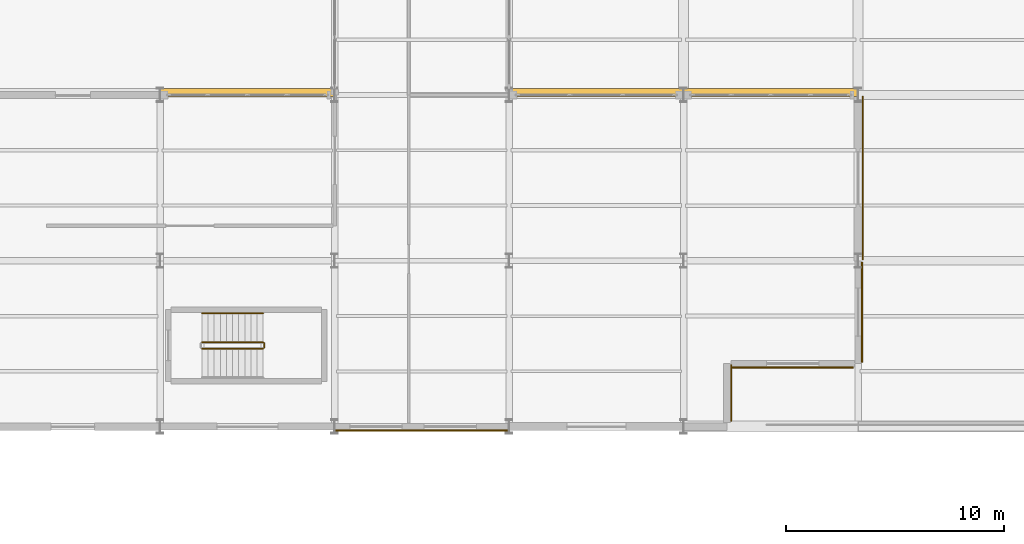
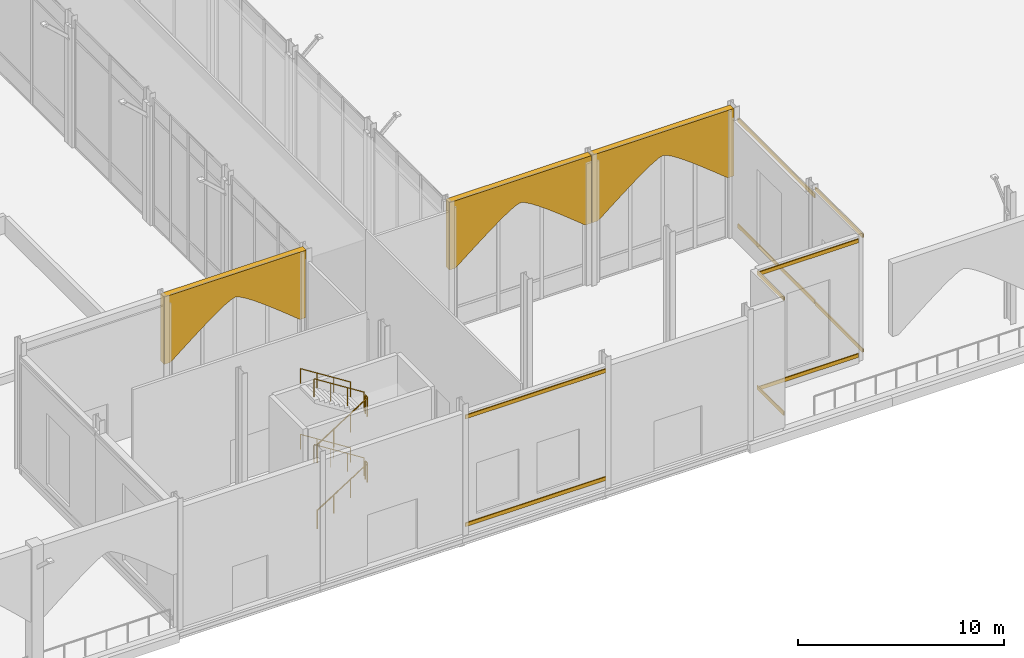
# One storey, part 158 of 176: 13 coverings, 8 railings.
"""IFC4 building model written with IfcOpenShell, lengths in metres."""

from ifc_helpers import new_model, si_unit, direction, frame, origin, origin_2d, place, context, subcontext, project, spatial, polyline, rectangle, circle, outline, extrude, material, layer, layer_set, type_object, element, save


model = new_model("IFC4")

# Units and contexts
model_context = context("Model", 3, precision=1e-05, world=origin(), true_north=direction((0.0, 1.0)))
body_context = subcontext(model_context, "Body", "Model", "MODEL_VIEW")
ifc_project = project(units=[si_unit("LENGTHUNIT", "METRE"), si_unit("AREAUNIT", "SQUARE_METRE"), si_unit("VOLUMEUNIT", "CUBIC_METRE"), si_unit("PLANEANGLEUNIT", "RADIAN"), si_unit("MASSUNIT", "GRAM", prefix="KILO")], contexts=[model_context])

# Site, building, storey
site_placement = place(None, origin())
site = spatial("IfcSite", under=ifc_project, at=site_placement, CompositionType="ELEMENT")
building_placement = place(site_placement, origin())
building = spatial("IfcBuilding", under=site, at=building_placement, Name="Vekula Escarpment Museum", CompositionType="ELEMENT")
storey_placement = place(building_placement, origin())
storey = spatial("IfcBuildingStorey", under=building, at=storey_placement, Name="L01", CompositionType="ELEMENT", Elevation=0.0)

# Coverings
ifc_material_1 = material(Name="Polychrome limestone almasik string-course band", Category="masonry")
ifc_layer_1 = layer(ifc_material_1, 0.06005859375)
ifc_layer_set_1 = layer_set([ifc_layer_1], Name="Polychrome limestone almasik string-course band")
covering_type_1 = type_object("IfcCoveringType", Name="COV-ALM-BAND", PredefinedType="CLADDING", material=ifc_layer_set_1)
for number, where, z_axis, x_axis, name in (
    (1, (118.176025390625, 5.243896484375, 0.41015625), (0.0, 0.0, 1.0), (0.0, 1.0, 0.0), "Almasik Stone String Course L01-0001"),
    (2, (118.176025390625, 5.243896484375, 7.2099609375), (0.0, 0.0, 1.0), (0.0, 1.0, 0.0), "Almasik Stone String Course L01-0002"),
):
    element("IfcCovering", number, at=place(storey_placement, frame(where, z_axis=z_axis, x_axis=x_axis)), inside=storey, type_object=covering_type_1, Name=name, PredefinedType="CLADDING", context=body_context, shape_type="SweptSolid", body=[
        extrude(rectangle(XDim=4.592041015625, YDim=0.06005859375, at=origin_2d()), origin(), (0.0, 0.0, 1.0), 0.219970703125),
    ])
for number, where, z_axis, x_axis, name in (
    (3, (118.216064453125, 11.39990234375, 0.41015625), (0.0, 0.0, 1.0), (0.0, 1.0, 0.0), "Almasik Stone String Course L01-0003"),
    (4, (118.216064453125, 11.39990234375, 6.69482421875), (0.0, 0.0, 1.0), (0.0, 1.0, 0.0), "Almasik Stone String Course L01-0004"),
):
    element("IfcCovering", number, at=place(storey_placement, frame(where, z_axis=z_axis, x_axis=x_axis)), inside=storey, type_object=covering_type_1, Name=name, PredefinedType="CLADDING", context=body_context, shape_type="SweptSolid", body=[
        extrude(rectangle(XDim=7.47998046875, YDim=0.06005859375, at=origin_2d()), origin(), (0.0, 0.0, 1.0), 0.219970703125),
    ])
for number, where, z_axis, x_axis, name in (
    (5, (98.0, -0.176025390625, 0.41015625), (0.0, 0.0, 1.0), (1.0, 0.0, 0.0), "Almasik Stone String Course L01-0225"),
    (6, (98.0, -0.176025390625, 6.80517578125), (0.0, 0.0, 1.0), (1.0, 0.0, 0.0), "Almasik Stone String Course L01-0226"),
):
    element("IfcCovering", number, at=place(storey_placement, frame(where, z_axis=z_axis, x_axis=x_axis)), inside=storey, type_object=covering_type_1, Name=name, PredefinedType="CLADDING", context=body_context, shape_type="SweptSolid", body=[
        extrude(rectangle(XDim=7.8798828125, YDim=0.06005859375, at=origin_2d()), origin(), (0.0, 0.0, 1.0), 0.219970703125),
    ])
for number, where, z_axis, x_axis, name in (
    (7, (112.18603515625, 1.533447265625, 0.41015625), (0.0, 0.0, 1.0), (0.0, 1.0, 0.0), "Almasik Stone String Course L01-0227"),
    (8, (112.18603515625, 1.533447265625, 7.2099609375), (0.0, 0.0, 1.0), (0.0, 1.0, 0.0), "Almasik Stone String Course L01-0228"),
):
    element("IfcCovering", number, at=place(storey_placement, frame(where, z_axis=z_axis, x_axis=x_axis)), inside=storey, type_object=covering_type_1, Name=name, PredefinedType="CLADDING", context=body_context, shape_type="SweptSolid", body=[
        extrude(rectangle(XDim=2.589111328125, YDim=0.06005859375, at=origin_2d()), origin(), (0.0, 0.0, 1.0), 0.219970703125),
    ])
for number, where, z_axis, x_axis, name in (
    (9, (115.0048828125, 2.7119140625, 0.41015625), (0.0, 0.0, 1.0), (1.0, 0.0, 0.0), "Almasik Stone String Course L01-0229"),
    (10, (115.0048828125, 2.7119140625, 7.2099609375), (0.0, 0.0, 1.0), (1.0, 0.0, 0.0), "Almasik Stone String Course L01-0230"),
):
    element("IfcCovering", number, at=place(storey_placement, frame(where, z_axis=z_axis, x_axis=x_axis)), inside=storey, type_object=covering_type_1, Name=name, PredefinedType="CLADDING", context=body_context, shape_type="SweptSolid", body=[
        extrude(rectangle(XDim=5.56201171875, YDim=0.06005859375, at=origin_2d()), origin(), (0.0, 0.0, 1.0), 0.219970703125),
    ])
ifc_material_2 = material(Name="Carved limestone revak pointed-arch cladding", Category="masonry")
ifc_layer_2 = layer(ifc_material_2, 0.3798828125)
ifc_layer_set_2 = layer_set([ifc_layer_2], Name="Carved limestone revak pointed-arch cladding")
covering_type_2 = type_object("IfcCoveringType", Name="COV-REVAK-ARCH", PredefinedType="CLADDING", material=ifc_layer_set_2)
for number, where, z_axis, x_axis, name in (
    (11, (90.0, 15.5, 3.550048828125), (0.0, -1.0, 0.0), (1.0, 0.0, 0.0), "Ottoman Pointed-Arch Revak Spandrel AVLU-S-2"),
    (12, (106.0, 15.5, 3.550048828125), (0.0, -1.0, 0.0), (1.0, 0.0, 0.0), "Ottoman Pointed-Arch Revak Spandrel AVLU-S-3"),
    (13, (114.0, 15.5, 3.550048828125), (0.0, -1.0, 0.0), (1.0, 0.0, 0.0), "Ottoman Pointed-Arch Revak Spandrel AVLU-S-4"),
):
    element("IfcCovering", number, at=place(storey_placement, frame(where, z_axis=z_axis, x_axis=x_axis)), inside=storey, type_object=covering_type_2, Name=name, PredefinedType="CLADDING", context=body_context, shape_type="SweptSolid", body=[
        extrude(outline(polyline([(-3.97998046875, 4.0), (3.97998046875, 4.0), (3.97998046875, 0.0), (3.639892578125, 0.0), (2.9248046875, 0.57861328125), (2.23583984375, 1.128173828125), (1.59912109375, 1.62109375), (1.038330078125, 2.03271484375), (0.57421875, 2.342529296875), (0.2236328125, 2.534912109375), (0.0, 2.60009765625), (-0.2236328125, 2.534912109375), (-0.57421875, 2.342529296875), (-1.038330078125, 2.03271484375), (-1.59912109375, 1.62109375), (-2.23583984375, 1.128173828125), (-2.9248046875, 0.57861328125), (-3.639892578125, 0.0), (-3.97998046875, 0.0), (-3.97998046875, 4.0)])), origin(), (0.0, 0.0, 1.0), 0.360107421875),
    ])

# Railings
ifc_material_3 = material(Name="Painted Steel S355 stair guard", Category="steel")
railing_type_1 = type_object("IfcRailingType", Name="RL-STAIR-GUARD", PredefinedType="GUARDRAIL", material=ifc_material_3)
railing_1_placement = place(storey_placement, frame((87.919921875, 3.570068359375, 0.17724609375)))
element("IfcRailing", 14, at=railing_1_placement, inside=storey, type_object=railing_type_1, Name="L01 ST-11 stair guard 1", PredefinedType="GUARDRAIL", context=body_context, shape_type="SweptSolid", body=[
    extrude(circle(Radius=0.02392578125, at=origin_2d()), frame((0.0, 0.0, 1.076171875), z_axis=(0.844908973607, 0.0, 0.534910110503), x_axis=(0.0, 1.0, 0.0)), (0.0, 0.0, 1.0), 3.31396484375),
    extrude(circle(Radius=0.02099609375, at=origin_2d()), origin(), (0.0, 0.0, 1.0), 1.052001953125),
    extrude(circle(Radius=0.02099609375, at=origin_2d()), frame((0.933349609375, 0.0, 0.5908203125)), (0.0, 0.0, 1.0), 1.052001953125),
    extrude(circle(Radius=0.02099609375, at=origin_2d()), frame((1.86669921875, 0.0, 1.181884765625)), (0.0, 0.0, 1.0), 1.052001953125),
    extrude(circle(Radius=0.02099609375, at=origin_2d()), frame((2.800048828125, 0.0, 1.772705078125)), (0.0, 0.0, 1.0), 1.052001953125),
])
railing_2_placement = place(storey_placement, frame((90.77001953125, 3.6201171875, 1.949951171875)))
element("IfcRailing", 15, at=railing_2_placement, inside=storey, type_object=railing_type_1, Name="L01 ST-11 stair guard 2", PredefinedType="GUARDRAIL", context=body_context, shape_type="SweptSolid", body=[
    extrude(circle(Radius=0.02392578125, at=origin_2d()), frame((0.0, 0.0, 1.076171875), z_axis=(0.0, 1.0, 0.0), x_axis=(-1.0, 0.0, 0.0)), (0.0, 0.0, 1.0), 0.199951171875),
    extrude(circle(Radius=0.02099609375, at=origin_2d()), origin(), (0.0, 0.0, 1.0), 1.052001953125),
    extrude(circle(Radius=0.02099609375, at=origin_2d()), frame((0.0, 0.199951171875, 0.0)), (0.0, 0.0, 1.0), 1.052001953125),
])
railing_3_placement = place(storey_placement, frame((90.719970703125, 3.8701171875, 2.127197265625)))
element("IfcRailing", 16, at=railing_3_placement, inside=storey, type_object=railing_type_1, Name="L01 ST-11 stair guard 3", PredefinedType="GUARDRAIL", context=body_context, shape_type="SweptSolid", body=[
    extrude(circle(Radius=0.02392578125, at=origin_2d()), frame((0.0, 0.0, 1.076171875), z_axis=(-0.844908973607, 0.0, 0.534910110503), x_axis=(0.0, -1.0, 0.0)), (0.0, 0.0, 1.0), 3.31396484375),
    extrude(circle(Radius=0.02099609375, at=origin_2d()), origin(), (0.0, 0.0, 1.0), 1.052001953125),
    extrude(circle(Radius=0.02099609375, at=origin_2d()), frame((-0.933349609375, 0.0, 0.5908203125)), (0.0, 0.0, 1.0), 1.052001953125),
    extrude(circle(Radius=0.02099609375, at=origin_2d()), frame((-1.86669921875, 0.0, 1.181884765625)), (0.0, 0.0, 1.0), 1.052001953125),
    extrude(circle(Radius=0.02099609375, at=origin_2d()), frame((-2.800048828125, 0.0, 1.772705078125)), (0.0, 0.0, 1.0), 1.052001953125),
])
railing_4_placement = place(storey_placement, frame((87.919921875, 3.570068359375, 4.077392578125)))
element("IfcRailing", 17, at=railing_4_placement, inside=storey, type_object=railing_type_1, Name="L01 ST-11 stair guard 5", PredefinedType="GUARDRAIL", context=body_context, shape_type="SweptSolid", body=[
    extrude(circle(Radius=0.02392578125, at=origin_2d()), frame((0.0, 0.0, 1.076171875), z_axis=(0.844908973607, 0.0, 0.534910110503), x_axis=(0.0, 1.0, 0.0)), (0.0, 0.0, 1.0), 3.31396484375),
    extrude(circle(Radius=0.02099609375, at=origin_2d()), origin(), (0.0, 0.0, 1.0), 1.052001953125),
    extrude(circle(Radius=0.02099609375, at=origin_2d()), frame((0.933349609375, 0.0, 0.5908203125)), (0.0, 0.0, 1.0), 1.052001953125),
    extrude(circle(Radius=0.02099609375, at=origin_2d()), frame((1.86669921875, 0.0, 1.181884765625)), (0.0, 0.0, 1.0), 1.052001953125),
    extrude(circle(Radius=0.02099609375, at=origin_2d()), frame((2.800048828125, 0.0, 1.772705078125)), (0.0, 0.0, 1.0), 1.052001953125),
])
railing_5_placement = place(storey_placement, frame((90.77001953125, 3.6201171875, 5.85009765625)))
element("IfcRailing", 18, at=railing_5_placement, inside=storey, type_object=railing_type_1, Name="L01 ST-11 stair guard 6", PredefinedType="GUARDRAIL", context=body_context, shape_type="SweptSolid", body=[
    extrude(circle(Radius=0.02392578125, at=origin_2d()), frame((0.0, 0.0, 1.076171875), z_axis=(0.0, 1.0, 0.0), x_axis=(-1.0, 0.0, 0.0)), (0.0, 0.0, 1.0), 0.199951171875),
    extrude(circle(Radius=0.02099609375, at=origin_2d()), origin(), (0.0, 0.0, 1.0), 1.052001953125),
    extrude(circle(Radius=0.02099609375, at=origin_2d()), frame((0.0, 0.199951171875, 0.0)), (0.0, 0.0, 1.0), 1.052001953125),
])
railing_6_placement = place(storey_placement, frame((90.719970703125, 3.8701171875, 6.02734375)))
element("IfcRailing", 19, at=railing_6_placement, inside=storey, type_object=railing_type_1, Name="L01 ST-11 stair guard 7", PredefinedType="GUARDRAIL", context=body_context, shape_type="SweptSolid", body=[
    extrude(circle(Radius=0.02392578125, at=origin_2d()), frame((0.0, 0.0, 1.076171875), z_axis=(-0.844908973607, 0.0, 0.534910110503), x_axis=(0.0, -1.0, 0.0)), (0.0, 0.0, 1.0), 3.31396484375),
    extrude(circle(Radius=0.02099609375, at=origin_2d()), origin(), (0.0, 0.0, 1.0), 1.052001953125),
    extrude(circle(Radius=0.02099609375, at=origin_2d()), frame((-0.933349609375, 0.0, 0.5908203125)), (0.0, 0.0, 1.0), 1.052001953125),
    extrude(circle(Radius=0.02099609375, at=origin_2d()), frame((-1.86669921875, 0.0, 1.181884765625)), (0.0, 0.0, 1.0), 1.052001953125),
    extrude(circle(Radius=0.02099609375, at=origin_2d()), frame((-2.800048828125, 0.0, 1.772705078125)), (0.0, 0.0, 1.0), 1.052001953125),
])
ifc_material_4 = material(Name="Brushed stainless steel handrail", Category="steel")
railing_type_2 = type_object("IfcRailingType", Name="RL-STAIR-HAND", PredefinedType="HANDRAIL", material=ifc_material_4)
for number, where, name in (
    (20, (90.719970703125, 5.18994140625, 2.127197265625), "L01 ST-11 stair handrail 2"),
    (21, (90.719970703125, 5.18994140625, 6.02734375), "L01 ST-11 stair handrail 4"),
):
    element("IfcRailing", number, at=place(storey_placement, frame(where)), inside=storey, type_object=railing_type_2, Name=name, PredefinedType="HANDRAIL", context=body_context, shape_type="SweptSolid", body=[
        extrude(circle(Radius=0.02392578125, at=origin_2d()), frame((0.0, 0.0, 0.8759765625), z_axis=(-0.844908973607, 0.0, 0.534910110503), x_axis=(0.0, -1.0, 0.0)), (0.0, 0.0, 1.0), 3.31396484375),
        extrude(circle(Radius=0.02099609375, at=origin_2d()), origin(), (0.0, 0.0, 1.0), 0.851806640625),
        extrude(circle(Radius=0.02099609375, at=origin_2d()), frame((-0.933349609375, 0.0, 0.5908203125)), (0.0, 0.0, 1.0), 0.851806640625),
        extrude(circle(Radius=0.02099609375, at=origin_2d()), frame((-1.86669921875, 0.0, 1.181884765625)), (0.0, 0.0, 1.0), 0.851806640625),
        extrude(circle(Radius=0.02099609375, at=origin_2d()), frame((-2.800048828125, 0.0, 1.772705078125)), (0.0, 0.0, 1.0), 0.851806640625),
    ])

save(model, "model.ifc")
